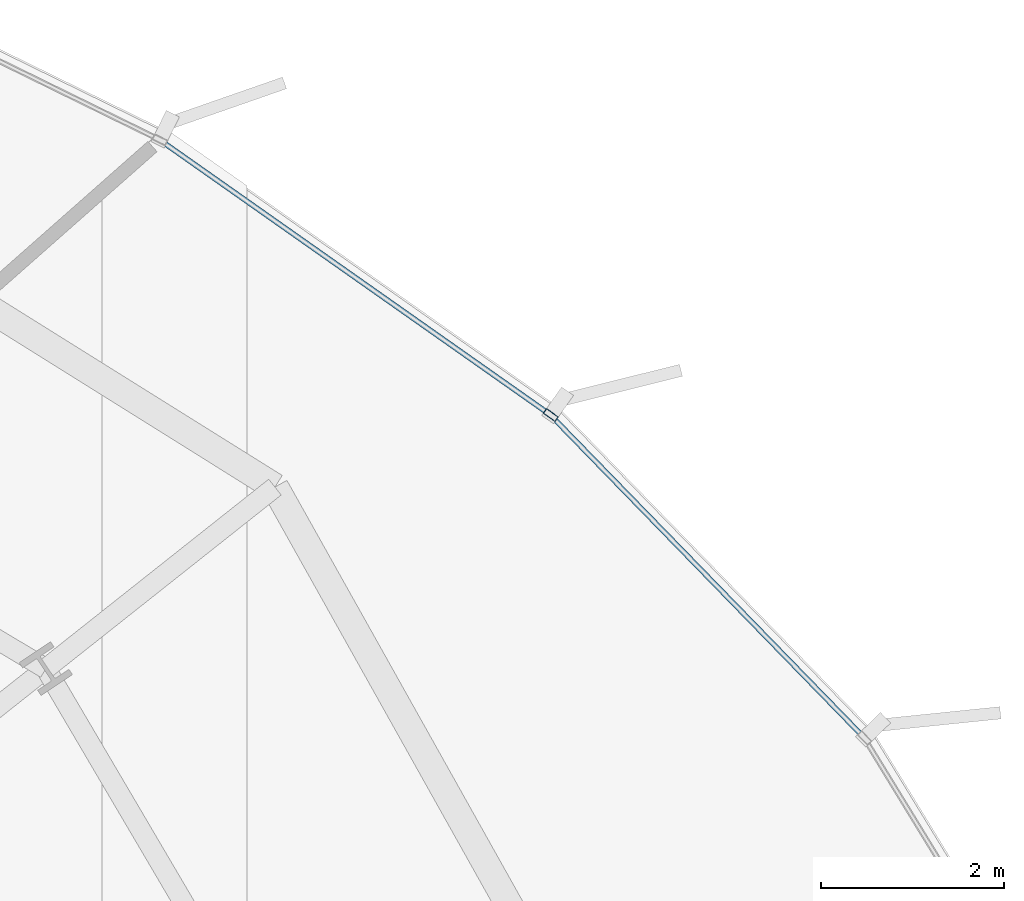
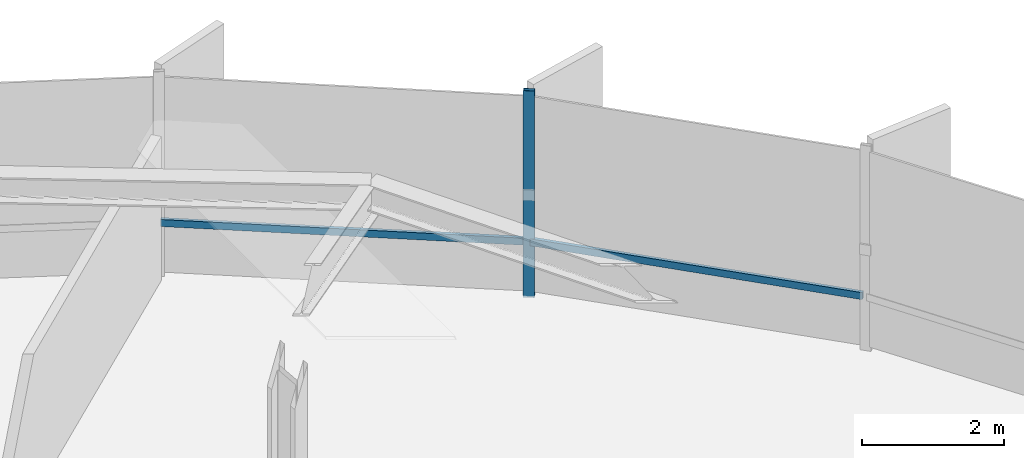
# One storey, part 27 of 38: 3 members, 1 element without a shape of its own.
"""IFC4 building model written with IfcOpenShell, lengths in metres."""

from ifc_helpers import new_model, si_unit, direction, frame, origin, origin_2d, place, context, subcontext, project, spatial, hollow_rectangle, extrude, source, transform, mapped, material, layer, layer_set, material_profile, profile_set, type_object, element, aggregate, save


model = new_model("IFC4")

# Units and contexts
model_context = context("Model", 3, precision=1e-05, world=origin(), true_north=direction((0.0, 1.0)))
body_context = subcontext(model_context, "Body", "Model", "MODEL_VIEW")
ifc_project = project(units=[si_unit("LENGTHUNIT", "METRE"), si_unit("AREAUNIT", "SQUARE_METRE"), si_unit("VOLUMEUNIT", "CUBIC_METRE"), si_unit("PLANEANGLEUNIT", "RADIAN"), si_unit("MASSUNIT", "GRAM", prefix="KILO"), si_unit("THERMODYNAMICTEMPERATUREUNIT", "KELVIN")], contexts=[model_context])

# Site, building, storey
site_placement = place(None, origin())
site = spatial("IfcSite", under=ifc_project, at=site_placement, CompositionType="ELEMENT")
building_placement = place(site_placement, origin())
building = spatial("IfcBuilding", under=site, at=building_placement, Name="Kethvar Cultural Tower", CompositionType="ELEMENT")
storey_placement = place(building_placement, frame((0.0, 0.0, 67.60009765625)))
storey = spatial("IfcBuildingStorey", under=building, at=storey_placement, Name="L16", CompositionType="ELEMENT", Elevation=67.60009765625)

# Curtain wall, members
ifc_material = material(Name="Aluminium 6063-T6", Category="aluminium")
ifc_layer = layer(ifc_material, 0.179931640625, Name="Aluminium 6063-T6", Category="aluminium")
ifc_layer_set = layer_set([ifc_layer], Name="Aluminium 6063-T6 (180 mm)")
curtain_wall_type = type_object("IfcCurtainWallType", Name="CW-SYS-02-Z1", PredefinedType="NOTDEFINED", material=ifc_layer_set)
curtain_wall_placement = place(storey_placement, origin())
curtain_wall = element("IfcCurtainWall", 1, at=curtain_wall_placement, inside=storey, type_object=curtain_wall_type, Name="L16 Curtain Wall Run 01", PredefinedType="NOTDEFINED")
ifc_material_profile_1 = material_profile(ifc_material, hollow_rectangle(XDim=0.06494140625, YDim=0.159912109375, WallThickness=0.0048828125, at=origin_2d()), Name="Aluminium 6063-T6 — RHS160x65x5")
ifc_profile_set_1 = profile_set([ifc_material_profile_1], Name="Aluminium 6063-T6 — RHS160x65x5")
member_type_1 = type_object("IfcMemberType", Name="CW-SYS-02-Z1-MUL", PredefinedType="MULLION", material=ifc_profile_set_1)
shared_shape_1 = source(origin(), body_context, "Body", "SweptSolid", [
    extrude(hollow_rectangle(XDim=0.06494140625, YDim=0.159912109375, WallThickness=0.0048828125, at=origin_2d()), origin(), (0.0, 0.0, 1.0), 3.5498046875),
])
member_1_placement = place(storey_placement, frame((73.864501953125, 44.965087890625, 0.0), z_axis=(0.0, 0.0, 1.0), x_axis=(-0.575547742981, -0.817768179589, 0.0)))
member_1 = element("IfcMember", 2, at=member_1_placement, type_object=member_type_1, Name="CW-L16-R01 Mullion 4", PredefinedType="MULLION", context=body_context, shape_type="MappedRepresentation", body=[
    mapped(shared_shape_1, transform((0.0, 0.0, 0.0), scale=1.0)),
])
ifc_material_profile_2 = material_profile(ifc_material, hollow_rectangle(XDim=0.054931640625, YDim=0.1201171875, WallThickness=0.00390625, at=origin_2d()), Name="Aluminium 6063-T6 — RHS120x55x4")
ifc_profile_set_2 = profile_set([ifc_material_profile_2], Name="Aluminium 6063-T6 — RHS120x55x4")
member_type_2 = type_object("IfcMemberType", Name="CW-SYS-02-Z1-TRN", PredefinedType="USERDEFINED", material=ifc_profile_set_2)
shared_shape_2 = source(origin(), body_context, "Body", "SweptSolid", [
    extrude(hollow_rectangle(XDim=0.054931640625, YDim=0.1201171875, WallThickness=0.00390625, at=origin_2d()), origin(), (0.0, 0.0, 1.0), 4.858154296875),
])
member_2_placement = place(storey_placement, frame((77.267333984375, 41.46337890625, 0.949951171875), z_axis=(-0.697214010855, 0.716863043452, 0.0), x_axis=(-0.716863043452, -0.697214010855, 0.0)))
member_2 = element("IfcMember", 3, at=member_2_placement, type_object=member_type_2, Name="CW-L16-R01 Transom 3", ObjectType="TRANSOM", PredefinedType="USERDEFINED", context=body_context, shape_type="MappedRepresentation", body=[
    mapped(shared_shape_2, transform((0.0, 0.0, 0.0), scale=1.0)),
])
shared_shape_3 = source(origin(), body_context, "Body", "SweptSolid", [
    extrude(hollow_rectangle(XDim=0.054931640625, YDim=0.1201171875, WallThickness=0.00390625, at=origin_2d()), origin(), (0.0, 0.0, 1.0), 5.157958984375),
])
member_3_placement = place(storey_placement, frame((73.826416015625, 44.9921875, 0.949951171875), z_axis=(-0.817797343669, 0.575506302909, 0.0), x_axis=(-0.575506302909, -0.817797343669, 0.0)))
member_3 = element("IfcMember", 4, at=member_3_placement, type_object=member_type_2, Name="CW-L16-R01 Transom 4", ObjectType="TRANSOM", PredefinedType="USERDEFINED", context=body_context, shape_type="MappedRepresentation", body=[
    mapped(shared_shape_3, transform((0.0, 0.0, 0.0), scale=1.0)),
])
aggregate(curtain_wall, [member_1, member_2, member_3])

save(model, "model.ifc")
